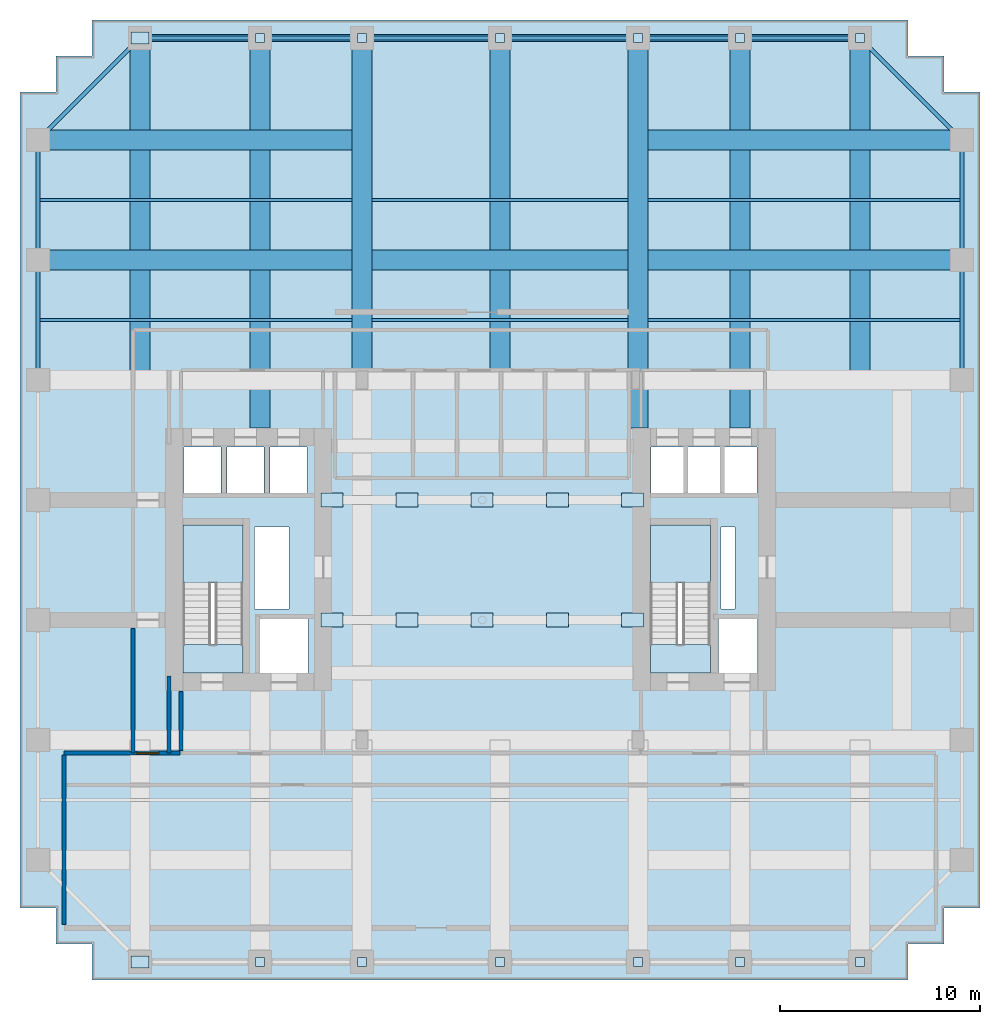
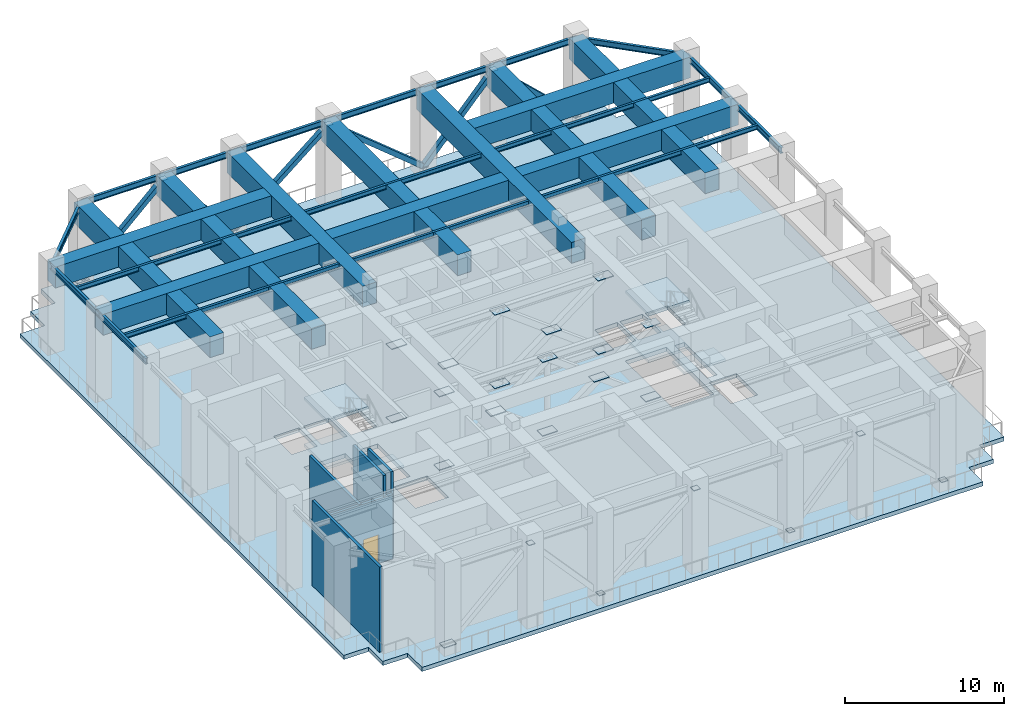
# One storey, part 3 of 10: 30 beams, 30 plates, 7 slabs, 6 members, 5 walls, 1 door, 1 opening, 2 elements without a shape of their own.
"""IFC4 building model written with IfcOpenShell, lengths in metres."""

from ifc_helpers import new_model, si_unit, direction, frame, frame_2d, origin, origin_2d, place, context, subcontext, project, spatial, polyline, rectangle, hollow_rectangle, i_section, outline, extrude, source, transform, mapped, material, layer, layer_set, material_profile, profile_set, type_object, element, fill, aggregate, save


model = new_model("IFC4")

# Units and contexts
model_context = context("Model", 3, precision=1e-05, world=origin(), true_north=direction((0.0, 1.0)))
body_context = subcontext(model_context, "Body", "Model", "MODEL_VIEW")
ifc_project = project(units=[si_unit("LENGTHUNIT", "METRE"), si_unit("AREAUNIT", "SQUARE_METRE"), si_unit("VOLUMEUNIT", "CUBIC_METRE"), si_unit("PLANEANGLEUNIT", "RADIAN"), si_unit("MASSUNIT", "GRAM", prefix="KILO")], contexts=[model_context])

# Site, building, storey
site_placement = place(None, origin())
site = spatial("IfcSite", under=ifc_project, at=site_placement, CompositionType="ELEMENT")
building_placement = place(site_placement, origin())
building = spatial("IfcBuilding", under=site, at=building_placement, Name="Khoralis Quay Care Tower", CompositionType="ELEMENT")
storey_placement = place(building_placement, frame((0.0, 0.0, 76.5)))
storey = spatial("IfcBuildingStorey", under=building, at=storey_placement, Name="L20", CompositionType="ELEMENT", Elevation=76.5)

# Beams
ifc_material_1 = material(Name="Steel S355", Category="steel")
ifc_material_profile_1 = material_profile(ifc_material_1, i_section(OverallWidth=0.18994140625, OverallDepth=0.449951171875, WebThickness=0.009521484375, FlangeThickness=0.0146484375, FilletRadius=0.02099609375, at=origin_2d()), Name="Steel S355")
ifc_profile_set_1 = profile_set([ifc_material_profile_1], Name="Steel S355")
beam_type_1 = type_object("IfcBeamType", Name="BM-IPE450", PredefinedType="SPANDREL", material=ifc_profile_set_1)
shared_shape_1 = source(origin(), body_context, "Body", "SweptSolid", [
    extrude(i_section(OverallWidth=0.18994140625, OverallDepth=0.449951171875, WebThickness=0.009521484375, FlangeThickness=0.0146484375, FilletRadius=0.02099609375, at=origin_2d()), origin(), (0.0, 0.0, 1.0), 6.0),
])
for number, where, z_axis, x_axis, name in (
    (1, (6.0, 47.10009765625, 6.324951171875), (1.0, 0.0, 0.0), (0.0, 1.0, 0.0), "BM-TSP-L20-07"),
    (2, (36.0, 47.10009765625, 6.324951171875), (1.0, 0.0, 0.0), (0.0, 1.0, 0.0), "BM-TSP-L20-12"),
    (3, (0.89990234375, 30.0, 6.324951171875), (0.0, 1.0, 0.0), (-1.0, 0.0, 0.0), "BM-TSP-L20-17"),
    (4, (0.89990234375, 36.0, 6.324951171875), (0.0, 1.0, 0.0), (-1.0, 0.0, 0.0), "BM-TSP-L20-18"),
    (5, (47.10009765625, 30.0, 6.324951171875), (0.0, 1.0, 0.0), (-1.0, 0.0, 0.0), "BM-TSP-L20-23"),
    (6, (47.10009765625, 36.0, 6.324951171875), (0.0, 1.0, 0.0), (-1.0, 0.0, 0.0), "BM-TSP-L20-24"),
):
    element("IfcBeam", number, at=place(storey_placement, frame(where, z_axis=z_axis, x_axis=x_axis)), inside=storey, type_object=beam_type_1, Name=name, PredefinedType="SPANDREL", context=body_context, shape_type="MappedRepresentation", body=[
        mapped(shared_shape_1, transform((0.0, 0.0, 0.0), scale=1.0)),
    ])
shared_shape_2 = source(origin(), body_context, "Body", "SweptSolid", [
    extrude(i_section(OverallWidth=0.18994140625, OverallDepth=0.449951171875, WebThickness=0.009521484375, FlangeThickness=0.0146484375, FilletRadius=0.02099609375, at=origin_2d()), origin(), (0.0, 0.0, 1.0), 5.10009765625),
])
for number, where, z_axis, x_axis, name in (
    (7, (12.0, 47.10009765625, 6.324951171875), (1.0, 0.0, 0.0), (0.0, 1.0, 0.0), "BM-TSP-L20-08"),
    (8, (30.89990234375, 47.10009765625, 6.324951171875), (1.0, 0.0, 0.0), (0.0, 1.0, 0.0), "BM-TSP-L20-11"),
):
    element("IfcBeam", number, at=place(storey_placement, frame(where, z_axis=z_axis, x_axis=x_axis)), inside=storey, type_object=beam_type_1, Name=name, PredefinedType="SPANDREL", context=body_context, shape_type="MappedRepresentation", body=[
        mapped(shared_shape_2, transform((0.0, 0.0, 0.0), scale=1.0)),
    ])
shared_shape_3 = source(origin(), body_context, "Body", "SweptSolid", [
    extrude(i_section(OverallWidth=0.18994140625, OverallDepth=0.449951171875, WebThickness=0.009521484375, FlangeThickness=0.0146484375, FilletRadius=0.02099609375, at=origin_2d()), origin(), (0.0, 0.0, 1.0), 6.89990234375),
])
for number, where, z_axis, x_axis, name in (
    (9, (17.10009765625, 47.10009765625, 6.324951171875), (1.0, 0.0, 0.0), (0.0, 1.0, 0.0), "BM-TSP-L20-09"),
    (10, (24.0, 47.10009765625, 6.324951171875), (1.0, 0.0, 0.0), (0.0, 1.0, 0.0), "BM-TSP-L20-10"),
):
    element("IfcBeam", number, at=place(storey_placement, frame(where, z_axis=z_axis, x_axis=x_axis)), inside=storey, type_object=beam_type_1, Name=name, PredefinedType="SPANDREL", context=body_context, shape_type="MappedRepresentation", body=[
        mapped(shared_shape_3, transform((0.0, 0.0, 0.0), scale=1.0)),
    ])
shared_shape_4 = source(origin(), body_context, "Body", "SweptSolid", [
    extrude(i_section(OverallWidth=0.18994140625, OverallDepth=0.449951171875, WebThickness=0.009521484375, FlangeThickness=0.0146484375, FilletRadius=0.02099609375, at=origin_2d()), origin(), (0.0, 0.0, 1.0), 7.212646484375),
])
for number, where, z_axis, x_axis, name in (
    (11, (6.0, 47.10009765625, 6.324951171875), (-0.707106781187, -0.707106781187, 0.0), (0.707106781187, -0.707106781187, 0.0), "BM-TCR-L20-27"),
    (12, (42.0, 47.10009765625, 6.324951171875), (0.707106781187, -0.707106781187, 0.0), (0.707106781187, 0.707106781187, 0.0), "BM-TCR-L20-28"),
):
    element("IfcBeam", number, at=place(storey_placement, frame(where, z_axis=z_axis, x_axis=x_axis)), inside=storey, type_object=beam_type_1, Name=name, PredefinedType="SPANDREL", context=body_context, shape_type="MappedRepresentation", body=[
        mapped(shared_shape_4, transform((0.0, 0.0, 0.0), scale=1.0)),
    ])
ifc_material_2 = material(Name="Concrete C80/95", Category="concrete")
ifc_material_profile_2 = material_profile(ifc_material_2, rectangle(XDim=1.0, YDim=1.60009765625, at=origin_2d()), Name="Concrete C80/95")
ifc_profile_set_2 = profile_set([ifc_material_profile_2], Name="Concrete C80/95")
beam_type_2 = type_object("IfcBeamType", Name="TG-RC1000X1600", PredefinedType="BEAM", material=ifc_profile_set_2)
shared_shape_5 = source(origin(), body_context, "Body", "SweptSolid", [
    extrude(rectangle(XDim=1.0, YDim=1.60009765625, at=origin_2d()), origin(), (0.0, 0.0, 1.0), 15.712158203125),
])
for number, where, z_axis, x_axis, name in (
    (13, (0.89990234375, 36.0, 5.75), (1.0, 0.0, 0.0), (0.0, 1.0, 0.0), "L20 Transfer girder BM-TGXW-L20-360"),
    (14, (0.89990234375, 42.0, 5.75), (1.0, 0.0, 0.0), (0.0, 1.0, 0.0), "L20 Transfer girder BM-TGXW-L20-420"),
    (15, (31.387939453125, 36.0, 5.75), (1.0, 0.0, 0.0), (0.0, 1.0, 0.0), "L20 Transfer girder BM-TGXE-L20-360"),
    (16, (31.387939453125, 42.0, 5.75), (1.0, 0.0, 0.0), (0.0, 1.0, 0.0), "L20 Transfer girder BM-TGXE-L20-420"),
):
    element("IfcBeam", number, at=place(storey_placement, frame(where, z_axis=z_axis, x_axis=x_axis)), inside=storey, type_object=beam_type_2, Name=name, PredefinedType="BEAM", context=body_context, shape_type="MappedRepresentation", body=[
        mapped(shared_shape_5, transform((0.0, 0.0, 0.0), scale=1.0)),
    ])
shared_shape_6 = source(origin(), body_context, "Body", "SweptSolid", [
    extrude(rectangle(XDim=1.0, YDim=1.60009765625, at=origin_2d()), origin(), (0.0, 0.0, 1.0), 12.82421875),
])
beam_placement = place(storey_placement, frame((17.587890625, 36.0, 5.75), z_axis=(1.0, 0.0, 0.0), x_axis=(0.0, 1.0, 0.0)))
element("IfcBeam", 17, at=beam_placement, inside=storey, type_object=beam_type_2, Name="L20 Transfer girder BM-TGCC-L20-360", PredefinedType="BEAM", context=body_context, shape_type="MappedRepresentation", body=[
    mapped(shared_shape_6, transform((0.0, 0.0, 0.0), scale=1.0)),
])
shared_shape_7 = source(origin(), body_context, "Body", "SweptSolid", [
    extrude(rectangle(XDim=1.0, YDim=1.60009765625, at=origin_2d()), origin(), (0.0, 0.0, 1.0), 17.10009765625),
])
for number, where, z_axis, x_axis, name in (
    (18, (6.0, 30.0, 5.75), (0.0, 1.0, 0.0), (-1.0, 0.0, 0.0), "L20 Transfer girder BM-TGYN-L20-60"),
    (19, (17.10009765625, 30.0, 5.75), (0.0, 1.0, 0.0), (-1.0, 0.0, 0.0), "L20 Transfer girder BM-TGYN-L20-171"),
    (20, (24.0, 30.0, 5.75), (0.0, 1.0, 0.0), (-1.0, 0.0, 0.0), "L20 Transfer girder BM-TGYN-L20-240"),
    (21, (42.0, 30.0, 5.75), (0.0, 1.0, 0.0), (-1.0, 0.0, 0.0), "L20 Transfer girder BM-TGYN-L20-420"),
):
    element("IfcBeam", number, at=place(storey_placement, frame(where, z_axis=z_axis, x_axis=x_axis)), inside=storey, type_object=beam_type_2, Name=name, PredefinedType="BEAM", context=body_context, shape_type="MappedRepresentation", body=[
        mapped(shared_shape_7, transform((0.0, 0.0, 0.0), scale=1.0)),
    ])
shared_shape_8 = source(origin(), body_context, "Body", "SweptSolid", [
    extrude(rectangle(XDim=1.0, YDim=1.60009765625, at=origin_2d()), origin(), (0.0, 0.0, 1.0), 19.502197265625),
])
for number, where, z_axis, x_axis, name in (
    (22, (12.0, 27.597900390625, 5.75), (0.0, 1.0, 0.0), (-1.0, 0.0, 0.0), "L20 Transfer girder BM-TGYN-L20-120"),
    (23, (30.89990234375, 27.597900390625, 5.75), (0.0, 1.0, 0.0), (-1.0, 0.0, 0.0), "L20 Transfer girder BM-TGYN-L20-309"),
    (24, (36.0, 27.597900390625, 5.75), (0.0, 1.0, 0.0), (-1.0, 0.0, 0.0), "L20 Transfer girder BM-TGYN-L20-360"),
):
    element("IfcBeam", number, at=place(storey_placement, frame(where, z_axis=z_axis, x_axis=x_axis)), inside=storey, type_object=beam_type_2, Name=name, PredefinedType="BEAM", context=body_context, shape_type="MappedRepresentation", body=[
        mapped(shared_shape_8, transform((0.0, 0.0, 0.0), scale=1.0)),
    ])
ifc_material_profile_3 = material_profile(ifc_material_1, i_section(OverallWidth=0.1708984375, OverallDepth=0.35498046875, WebThickness=0.007080078125, FlangeThickness=0.01171875, FilletRadius=0.012939453125, at=origin_2d()), Name="Steel S355")
ifc_profile_set_3 = profile_set([ifc_material_profile_3], Name="Steel S355")
beam_type_3 = type_object("IfcBeamType", Name="BM-W360X51", PredefinedType="JOIST", material=ifc_profile_set_3)
shared_shape_9 = source(origin(), body_context, "Body", "SweptSolid", [
    extrude(i_section(OverallWidth=0.1708984375, OverallDepth=0.35498046875, WebThickness=0.007080078125, FlangeThickness=0.01171875, FilletRadius=0.012939453125, at=origin_2d()), origin(), (0.0, 0.0, 1.0), 15.631103515625),
])
for number, where, z_axis, x_axis, name in (
    (25, (0.98095703125, 33.0, 6.37255859375), (1.0, 0.0, 0.0), (0.0, 1.0, 0.0), "BM-TJS-L20-32"),
    (26, (31.387939453125, 33.0, 6.37255859375), (1.0, 0.0, 0.0), (0.0, 1.0, 0.0), "BM-TJS-L20-33"),
    (27, (0.98095703125, 39.0, 6.37255859375), (1.0, 0.0, 0.0), (0.0, 1.0, 0.0), "BM-TJS-L20-35"),
    (28, (31.387939453125, 39.0, 6.37255859375), (1.0, 0.0, 0.0), (0.0, 1.0, 0.0), "BM-TJS-L20-36"),
):
    element("IfcBeam", number, at=place(storey_placement, frame(where, z_axis=z_axis, x_axis=x_axis)), inside=storey, type_object=beam_type_3, Name=name, PredefinedType="JOIST", context=body_context, shape_type="MappedRepresentation", body=[
        mapped(shared_shape_9, transform((0.0, 0.0, 0.0), scale=1.0)),
    ])
shared_shape_10 = source(origin(), body_context, "Body", "SweptSolid", [
    extrude(i_section(OverallWidth=0.1708984375, OverallDepth=0.35498046875, WebThickness=0.007080078125, FlangeThickness=0.01171875, FilletRadius=0.012939453125, at=origin_2d()), origin(), (0.0, 0.0, 1.0), 12.82421875),
])
for number, where, z_axis, x_axis, name in (
    (29, (17.587890625, 33.0, 6.37255859375), (1.0, 0.0, 0.0), (0.0, 1.0, 0.0), "BM-TJS-L20-34"),
    (30, (17.587890625, 39.0, 6.37255859375), (1.0, 0.0, 0.0), (0.0, 1.0, 0.0), "BM-TJS-L20-37"),
):
    element("IfcBeam", number, at=place(storey_placement, frame(where, z_axis=z_axis, x_axis=x_axis)), inside=storey, type_object=beam_type_3, Name=name, PredefinedType="JOIST", context=body_context, shape_type="MappedRepresentation", body=[
        mapped(shared_shape_10, transform((0.0, 0.0, 0.0), scale=1.0)),
    ])

# Members
ifc_material_profile_4 = material_profile(ifc_material_1, hollow_rectangle(XDim=0.35009765625, YDim=0.35009765625, WallThickness=0.01611328125, at=origin_2d()), Name="Steel S355")
ifc_profile_set_4 = profile_set([ifc_material_profile_4], Name="Steel S355")
member_type = type_object("IfcMemberType", Name="BR-RHS350X350X16", PredefinedType="BRACE", material=ifc_profile_set_4)
shared_shape_11 = source(origin(), body_context, "Body", "SweptSolid", [
    extrude(hollow_rectangle(XDim=0.35009765625, YDim=0.35009765625, WallThickness=0.01611328125, at=origin_2d()), origin(), (0.0, 0.0, 1.0), 8.24169921875),
])
for number, where, z_axis, x_axis, name in (
    (31, (6.0, 47.10009765625, 0.449951171875), (0.728012987869, 0.0, 0.685563337332), (0.0, 1.0, 0.0), "L20 Belt truss diagonal 7"),
    (32, (36.0, 47.10009765625, 6.10009765625), (0.728012987869, 0.0, -0.685563337332), (0.0, 1.0, 0.0), "L20 Belt truss diagonal 12"),
):
    element("IfcMember", number, at=place(storey_placement, frame(where, z_axis=z_axis, x_axis=x_axis)), inside=storey, type_object=member_type, Name=name, PredefinedType="BRACE", context=body_context, shape_type="MappedRepresentation", body=[
        mapped(shared_shape_11, transform((0.0, 0.0, 0.0), scale=1.0)),
    ])
shared_shape_12 = source(origin(), body_context, "Body", "SweptSolid", [
    extrude(hollow_rectangle(XDim=0.35009765625, YDim=0.35009765625, WallThickness=0.01611328125, at=origin_2d()), origin(), (0.0, 0.0, 1.0), 7.611572265625),
])
for number, where, z_axis, x_axis, name in (
    (33, (12.0, 47.10009765625, 6.10009765625), (0.670050319951, 0.0, -0.742315679973), (0.0, 1.0, 0.0), "L20 Belt truss diagonal 8"),
    (34, (30.89990234375, 47.10009765625, 0.449951171875), (0.670050319951, 0.0, 0.742315679973), (0.0, 1.0, 0.0), "L20 Belt truss diagonal 11"),
):
    element("IfcMember", number, at=place(storey_placement, frame(where, z_axis=z_axis, x_axis=x_axis)), inside=storey, type_object=member_type, Name=name, PredefinedType="BRACE", context=body_context, shape_type="MappedRepresentation", body=[
        mapped(shared_shape_12, transform((0.0, 0.0, 0.0), scale=1.0)),
    ])
shared_shape_13 = source(origin(), body_context, "Body", "SweptSolid", [
    extrude(hollow_rectangle(XDim=0.35009765625, YDim=0.35009765625, WallThickness=0.01611328125, at=origin_2d()), origin(), (0.0, 0.0, 1.0), 8.918212890625),
])
for number, where, z_axis, x_axis, name in (
    (35, (17.10009765625, 47.10009765625, 0.449951171875), (0.773694994311, 0.0, 0.633558249712), (0.0, 1.0, 0.0), "L20 Belt truss diagonal 9"),
    (36, (24.0, 47.10009765625, 6.10009765625), (0.773694994311, 0.0, -0.633558249712), (0.0, 1.0, 0.0), "L20 Belt truss diagonal 10"),
):
    element("IfcMember", number, at=place(storey_placement, frame(where, z_axis=z_axis, x_axis=x_axis)), inside=storey, type_object=member_type, Name=name, PredefinedType="BRACE", context=body_context, shape_type="MappedRepresentation", body=[
        mapped(shared_shape_13, transform((0.0, 0.0, 0.0), scale=1.0)),
    ])

# Slab
ifc_material_3 = material(Name="Concrete C50/60", Category="concrete")
ifc_layer_1 = layer(ifc_material_3, 0.320068359375)
ifc_layer_set_1 = layer_set([ifc_layer_1], Name="Concrete C50/60")
slab_type_1 = type_object("IfcSlabType", Name="SLB-EXT-WIND-320", PredefinedType="FLOOR", material=ifc_layer_set_1)
slab_1_placement = place(storey_placement, frame((0.0, 0.0, -0.320068359375)))
element("IfcSlab", 37, at=slab_1_placement, inside=storey, type_object=slab_type_1, Name="Tower Floor Slab L20", PredefinedType="FLOOR", context=body_context, shape_type="SweptSolid", body=[
    extrude(outline(polyline([(3.60009765625, 0.0), (44.39990234375, 0.0), (44.39990234375, 1.800048828125), (46.199951171875, 1.800048828125), (46.199951171875, 3.60009765625), (48.0, 3.60009765625), (48.0, 44.39990234375), (46.199951171875, 44.39990234375), (46.199951171875, 46.199951171875), (44.39990234375, 46.199951171875), (44.39990234375, 48.0), (3.60009765625, 48.0), (3.60009765625, 46.199951171875), (1.800048828125, 46.199951171875), (1.800048828125, 44.39990234375), (0.0, 44.39990234375), (0.0, 3.60009765625), (1.800048828125, 3.60009765625), (1.800048828125, 1.800048828125), (3.60009765625, 1.800048828125), (3.60009765625, 0.0)]), holes=[polyline([(11.14990234375, 16.800048828125), (11.14990234375, 22.75), (8.14990234375, 22.75), (8.14990234375, 16.800048828125), (11.14990234375, 16.800048828125)]), polyline([(34.52001953125, 16.800048828125), (34.52001953125, 22.75), (31.52001953125, 22.75), (31.52001953125, 16.800048828125), (34.52001953125, 16.800048828125)]), polyline([(12.0, 15.35009765625), (14.39990234375, 15.35009765625), (14.39990234375, 18.050048828125), (12.0, 18.050048828125), (12.0, 15.35009765625)]), polyline([(34.919921875, 15.35009765625), (36.8798828125, 15.35009765625), (36.8798828125, 18.050048828125), (34.919921875, 18.050048828125), (34.919921875, 15.35009765625)]), polyline([(8.199951171875, 24.35009765625), (10.050048828125, 24.35009765625), (10.050048828125, 26.64990234375), (8.199951171875, 26.64990234375), (8.199951171875, 24.35009765625)]), polyline([(31.550048828125, 24.35009765625), (33.199951171875, 24.35009765625), (33.199951171875, 26.64990234375), (31.550048828125, 26.64990234375), (31.550048828125, 24.35009765625)]), polyline([(10.35009765625, 24.35009765625), (12.199951171875, 24.35009765625), (12.199951171875, 26.64990234375), (10.35009765625, 26.64990234375), (10.35009765625, 24.35009765625)]), polyline([(33.3798828125, 24.35009765625), (35.030029296875, 24.35009765625), (35.030029296875, 26.64990234375), (33.3798828125, 26.64990234375), (33.3798828125, 24.35009765625)]), polyline([(12.5, 24.35009765625), (14.35009765625, 24.35009765625), (14.35009765625, 26.64990234375), (12.5, 26.64990234375), (12.5, 24.35009765625)]), polyline([(35.199951171875, 24.35009765625), (36.85009765625, 24.35009765625), (36.85009765625, 26.64990234375), (35.199951171875, 26.64990234375), (35.199951171875, 24.35009765625)]), polyline([(11.719970703125, 18.550048828125), (13.449951171875, 18.550048828125), (13.449951171875, 22.64990234375), (11.719970703125, 22.64990234375), (11.719970703125, 18.550048828125)]), polyline([(35.050048828125, 18.550048828125), (35.75, 18.550048828125), (35.75, 22.64990234375), (35.050048828125, 22.64990234375), (35.050048828125, 18.550048828125)])]), origin(), (0.0, 0.0, 1.0), 0.320068359375),
])

# Stair, slabs
ifc_material_4 = material(Name="Precast concrete C45/55", Category="concrete")
stair_type = type_object("IfcStairType", Name="ST-TWR-DOGLEG-1400", PredefinedType="HALF_TURN_STAIR", material=ifc_material_4)
stair_1_placement = place(storey_placement, origin())
stair_1 = element("IfcStair", 38, at=stair_1_placement, inside=storey, type_object=stair_type, Name="L20 West Core Exit Stair ST-T1", PredefinedType="HALF_TURN_STAIR")
ifc_layer_2 = layer(ifc_material_4, 0.199951171875)
ifc_layer_set_2 = layer_set([ifc_layer_2], Name="Precast concrete C45/55")
slab_type_2 = type_object("IfcSlabType", Name="SLB-LANDING-200", PredefinedType="LANDING", material=ifc_layer_set_2)
slab_2_placement = place(storey_placement, frame((0.0, 0.0, 1.60009765625)))
slab_2 = element("IfcSlab", 39, at=slab_2_placement, type_object=slab_type_2, Name="ST-T1 landing 1", PredefinedType="LANDING", context=body_context, shape_type="SweptSolid", body=[
    extrude(outline(polyline([(11.14990234375, 19.840087890625), (11.14990234375, 22.75), (8.14990234375, 22.75), (8.14990234375, 19.840087890625), (11.14990234375, 19.840087890625)])), origin(), (0.0, 0.0, 1.0), 0.199951171875),
])
slab_3_placement = place(storey_placement, frame((0.0, 0.0, 3.39990234375)))
slab_3 = element("IfcSlab", 40, at=slab_3_placement, type_object=slab_type_2, Name="ST-T1 landing 2", PredefinedType="LANDING", context=body_context, shape_type="SweptSolid", body=[
    extrude(outline(polyline([(11.14990234375, 15.35009765625), (11.14990234375, 16.800048828125), (8.14990234375, 16.800048828125), (8.14990234375, 15.35009765625), (11.14990234375, 15.35009765625)])), origin(), (0.0, 0.0, 1.0), 0.2001953125),
])
slab_4_placement = place(storey_placement, frame((0.0, 0.0, 5.199951171875)))
slab_4 = element("IfcSlab", 41, at=slab_4_placement, type_object=slab_type_2, Name="ST-T1 landing 3", PredefinedType="LANDING", context=body_context, shape_type="SweptSolid", body=[
    extrude(outline(polyline([(11.14990234375, 19.840087890625), (11.14990234375, 22.75), (8.14990234375, 22.75), (8.14990234375, 19.840087890625), (11.14990234375, 19.840087890625)])), origin(), (0.0, 0.0, 1.0), 0.199951171875),
])
aggregate(stair_1, [slab_2, slab_3, slab_4])

stair_2_placement = place(storey_placement, origin())
stair_2 = element("IfcStair", 42, at=stair_2_placement, inside=storey, type_object=stair_type, Name="L20 East Core Exit Stair ST-T2", PredefinedType="HALF_TURN_STAIR")
slab_5_placement = place(storey_placement, frame((0.0, 0.0, 1.60009765625)))
slab_5 = element("IfcSlab", 43, at=slab_5_placement, type_object=slab_type_2, Name="ST-T2 landing 1", PredefinedType="LANDING", context=body_context, shape_type="SweptSolid", body=[
    extrude(outline(polyline([(34.52001953125, 19.840087890625), (34.52001953125, 22.75), (31.52001953125, 22.75), (31.52001953125, 19.840087890625), (34.52001953125, 19.840087890625)])), origin(), (0.0, 0.0, 1.0), 0.199951171875),
])
slab_6_placement = place(storey_placement, frame((0.0, 0.0, 3.39990234375)))
slab_6 = element("IfcSlab", 44, at=slab_6_placement, type_object=slab_type_2, Name="ST-T2 landing 2", PredefinedType="LANDING", context=body_context, shape_type="SweptSolid", body=[
    extrude(outline(polyline([(34.52001953125, 15.35009765625), (34.52001953125, 16.800048828125), (31.52001953125, 16.800048828125), (31.52001953125, 15.35009765625), (34.52001953125, 15.35009765625)])), origin(), (0.0, 0.0, 1.0), 0.2001953125),
])
slab_7_placement = place(storey_placement, frame((0.0, 0.0, 5.199951171875)))
slab_7 = element("IfcSlab", 45, at=slab_7_placement, type_object=slab_type_2, Name="ST-T2 landing 3", PredefinedType="LANDING", context=body_context, shape_type="SweptSolid", body=[
    extrude(outline(polyline([(34.52001953125, 19.840087890625), (34.52001953125, 22.75), (31.52001953125, 22.75), (31.52001953125, 19.840087890625), (34.52001953125, 19.840087890625)])), origin(), (0.0, 0.0, 1.0), 0.199951171875),
])
aggregate(stair_2, [slab_5, slab_6, slab_7])

# Plates
ifc_layer_3 = layer(ifc_material_1, 0.02490234375)
ifc_layer_set_3 = layer_set([ifc_layer_3], Name="Steel S355")
plate_type_1 = type_object("IfcPlateType", Name="PLT-CAP-450", PredefinedType="USERDEFINED", material=ifc_layer_set_3)
shared_shape_14 = source(origin(), body_context, "Body", "SweptSolid", [
    extrude(rectangle(XDim=0.449951171875, YDim=0.449951171875, at=origin_2d()), origin(), (0.0, 0.0, 1.0), 0.02490234375),
])
for number, where, z_axis, x_axis, name in (
    (46, (12.0, 0.89990234375, 6.087646484375), (0.0, 0.0, 1.0), (1.0, 0.0, 0.0), "PLT-L20-CP-01"),
    (47, (17.10009765625, 0.89990234375, 0.4375), (0.0, 0.0, 1.0), (1.0, 0.0, 0.0), "PLT-L20-CP-02"),
    (48, (24.0, 0.89990234375, 6.087646484375), (0.0, 0.0, 1.0), (1.0, 0.0, 0.0), "PLT-L20-CP-03"),
    (49, (30.89990234375, 0.89990234375, 0.4375), (0.0, 0.0, 1.0), (1.0, 0.0, 0.0), "PLT-L20-CP-04"),
    (50, (36.0, 0.89990234375, 6.087646484375), (0.0, 0.0, 1.0), (1.0, 0.0, 0.0), "PLT-L20-CP-05"),
    (51, (42.0, 0.89990234375, 0.4375), (0.0, 0.0, 1.0), (1.0, 0.0, 0.0), "PLT-L20-CP-06"),
    (52, (12.0, 47.10009765625, 6.087646484375), (0.0, 0.0, 1.0), (1.0, 0.0, 0.0), "PLT-L20-CP-07"),
    (53, (17.10009765625, 47.10009765625, 0.4375), (0.0, 0.0, 1.0), (1.0, 0.0, 0.0), "PLT-L20-CP-08"),
    (54, (24.0, 47.10009765625, 6.087646484375), (0.0, 0.0, 1.0), (1.0, 0.0, 0.0), "PLT-L20-CP-09"),
    (55, (30.89990234375, 47.10009765625, 0.4375), (0.0, 0.0, 1.0), (1.0, 0.0, 0.0), "PLT-L20-CP-10"),
    (56, (36.0, 47.10009765625, 6.087646484375), (0.0, 0.0, 1.0), (1.0, 0.0, 0.0), "PLT-L20-CP-11"),
    (57, (42.0, 47.10009765625, 0.4375), (0.0, 0.0, 1.0), (1.0, 0.0, 0.0), "PLT-L20-CP-12"),
):
    element("IfcPlate", number, at=place(storey_placement, frame(where, z_axis=z_axis, x_axis=x_axis)), inside=storey, type_object=plate_type_1, Name=name, ObjectType="BASE_PLATE", PredefinedType="USERDEFINED", context=body_context, shape_type="MappedRepresentation", body=[
        mapped(shared_shape_14, transform((0.0, 0.0, 0.0), scale=1.0)),
    ])
ifc_material_5 = material(Name="Steel S460", Category="steel")
ifc_layer_4 = layer(ifc_material_5, 0.034912109375)
ifc_layer_set_4 = layer_set([ifc_layer_4], Name="Steel S460")
plate_type_2 = type_object("IfcPlateType", Name="PLT-NODE-ON1", PredefinedType="USERDEFINED", material=ifc_layer_set_4)
shared_shape_15 = source(origin(), body_context, "Body", "SweptSolid", [
    extrude(rectangle(XDim=1.10009765625, YDim=0.699951171875, at=origin_2d()), origin(), (0.0, 0.0, 1.0), 0.034912109375),
])
for number, where, z_axis, x_axis, name in (
    (58, (15.60009765625, 18.0, 0.4326171875), (0.0, 0.0, 1.0), (1.0, 0.0, 0.0), "PLT-L20-CHND-18-156-769"),
    (59, (30.6201171875, 18.0, 0.4326171875), (0.0, 0.0, 1.0), (1.0, 0.0, 0.0), "PLT-L20-CHND-18-306-769"),
    (60, (15.60009765625, 18.0, 6.08251953125), (0.0, 0.0, 1.0), (1.0, 0.0, 0.0), "PLT-L20-CHND-18-156-826"),
    (61, (30.6201171875, 18.0, 6.08251953125), (0.0, 0.0, 1.0), (1.0, 0.0, 0.0), "PLT-L20-CHND-18-306-826"),
    (62, (23.110107421875, 18.0, 0.4326171875), (0.0, 0.0, 1.0), (1.0, 0.0, 0.0), "PLT-L20-CHND-18-231-769"),
    (63, (23.110107421875, 18.0, 6.08251953125), (0.0, 0.0, 1.0), (1.0, 0.0, 0.0), "PLT-L20-CHND-18-231-826"),
    (64, (19.35498046875, 18.0, 3.25732421875), (0.0, 0.0, 1.0), (1.0, 0.0, 0.0), "L20 Outrigger X-Brace Central Gusset 18.1"),
    (65, (26.864990234375, 18.0, 3.25732421875), (0.0, 0.0, 1.0), (1.0, 0.0, 0.0), "L20 Outrigger X-Brace Central Gusset 18.2"),
    (66, (15.60009765625, 24.0, 0.4326171875), (0.0, 0.0, 1.0), (1.0, 0.0, 0.0), "PLT-L20-CHND-24-156-769"),
    (67, (30.6201171875, 24.0, 0.4326171875), (0.0, 0.0, 1.0), (1.0, 0.0, 0.0), "PLT-L20-CHND-24-306-769"),
    (68, (15.60009765625, 24.0, 6.08251953125), (0.0, 0.0, 1.0), (1.0, 0.0, 0.0), "PLT-L20-CHND-24-156-826"),
    (69, (30.6201171875, 24.0, 6.08251953125), (0.0, 0.0, 1.0), (1.0, 0.0, 0.0), "PLT-L20-CHND-24-306-826"),
    (70, (23.110107421875, 24.0, 0.4326171875), (0.0, 0.0, 1.0), (1.0, 0.0, 0.0), "PLT-L20-CHND-24-231-769"),
    (71, (23.110107421875, 24.0, 6.08251953125), (0.0, 0.0, 1.0), (1.0, 0.0, 0.0), "PLT-L20-CHND-24-231-826"),
    (72, (19.35498046875, 24.0, 3.25732421875), (0.0, 0.0, 1.0), (1.0, 0.0, 0.0), "L20 Outrigger X-Brace Central Gusset 24.1"),
    (73, (26.864990234375, 24.0, 3.25732421875), (0.0, 0.0, 1.0), (1.0, 0.0, 0.0), "L20 Outrigger X-Brace Central Gusset 24.2"),
):
    element("IfcPlate", number, at=place(storey_placement, frame(where, z_axis=z_axis, x_axis=x_axis)), inside=storey, type_object=plate_type_2, Name=name, ObjectType="GUSSET_PLATE", PredefinedType="USERDEFINED", context=body_context, shape_type="MappedRepresentation", body=[
        mapped(shared_shape_15, transform((0.0, 0.0, 0.0), scale=1.0)),
    ])
ifc_layer_5 = layer(ifc_material_1, 0.030029296875)
ifc_layer_set_5 = layer_set([ifc_layer_5], Name="Steel S355")
plate_type_3 = type_object("IfcPlateType", Name="PLT-NODE-BN1", PredefinedType="USERDEFINED", material=ifc_layer_set_5)
shared_shape_16 = source(origin(), body_context, "Body", "SweptSolid", [
    extrude(rectangle(XDim=0.89990234375, YDim=0.60009765625, at=origin_2d()), origin(), (0.0, 0.0, 1.0), 0.030029296875),
])
for number, where, z_axis, x_axis, name in (
    (74, (6.0, 0.89990234375, 0.43505859375), (0.0, 0.0, 1.0), (1.0, 0.0, 0.0), "PLT-L20-BN-01"),
    (75, (6.0, 47.10009765625, 0.43505859375), (0.0, 0.0, 1.0), (1.0, 0.0, 0.0), "PLT-L20-BN-07"),
):
    element("IfcPlate", number, at=place(storey_placement, frame(where, z_axis=z_axis, x_axis=x_axis)), inside=storey, type_object=plate_type_3, Name=name, ObjectType="GUSSET_PLATE", PredefinedType="USERDEFINED", context=body_context, shape_type="MappedRepresentation", body=[
        mapped(shared_shape_16, transform((0.0, 0.0, 0.0), scale=1.0)),
    ])

# Walls
ifc_material_6 = material(Name="Gypsum plasterboard on acoustic metal stud")
ifc_layer_6 = layer(ifc_material_6, 0.199951171875)
ifc_layer_set_6 = layer_set([ifc_layer_6], Name="Gypsum plasterboard on acoustic metal stud")
wall_type = type_object("IfcWallType", Name="WL-COMP-200", PredefinedType="PARTITIONING", material=ifc_layer_set_6)
wall_1_placement = place(storey_placement, frame((8.050048828125, 11.469970703125, 0.0), z_axis=(0.0, 0.0, 1.0), x_axis=(0.0, 1.0, 0.0)))
element("IfcWall", 76, at=wall_1_placement, inside=storey, type_object=wall_type, Name="L20 West Firefighting Lobby West Wall", PredefinedType="PARTITIONING", context=body_context, shape_type="SweptSolid", body=[
    extrude(rectangle(XDim=2.9599609375, YDim=0.199951171875, at=frame_2d((1.47998046875, 0.0))), origin(), (0.0, 0.0, 1.0), 6.550048828125),
])
wall_2_placement = place(storey_placement, frame((2.199951171875, 2.77001953125, 0.0), z_axis=(0.0, 0.0, 1.0), x_axis=(0.0, 1.0, 0.0)))
element("IfcWall", 77, at=wall_2_placement, inside=storey, type_object=wall_type, Name="L20 Refuge West Compartment Wall", PredefinedType="PARTITIONING", context=body_context, shape_type="SweptSolid", body=[
    extrude(rectangle(XDim=8.47998046875, YDim=0.199951171875, at=frame_2d((4.239990234375, 0.0))), origin(), (0.0, 0.0, 1.0), 6.550048828125),
])

# Wall, opening, door
wall_3_placement = place(storey_placement, frame((2.199951171875, 11.35009765625, 0.0), z_axis=(0.0, 0.0, 1.0), x_axis=(1.0, 0.0, 0.0)))
wall_3 = element("IfcWall", 78, at=wall_3_placement, inside=storey, type_object=wall_type, Name="L20 Refuge Corridor North-West Cap", PredefinedType="PARTITIONING", context=body_context, shape_type="SweptSolid", body=[
    extrude(rectangle(XDim=5.800048828125, YDim=0.199951171875, at=frame_2d((2.89990234375, 0.0))), origin(), (0.0, 0.0, 1.0), 4.949951171875),
])
opening_placement = place(wall_3_placement, frame((3.64990234375, 0.0, 0.0)))
opening = element("IfcOpeningElement", 79, at=opening_placement, cuts=wall_3, Name="Opening SD1", PredefinedType="OPENING", context=body_context, shape_type="SweptSolid", body=[
    extrude(rectangle(XDim=1.10009765625, YDim=2.199951171875, at=frame_2d((0.550048828125, 1.10009765625))), frame((0.0, 0.10986328125, 0.0), z_axis=(0.0, -1.0, 0.0), x_axis=(1.0, 0.0, 0.0)), (0.0, 0.0, 1.0), 0.219970703125),
])
ifc_material_7 = material(Name="Fire-rated painted steel", Category="steel")
door_type = type_object("IfcDoorType", Name="DR-STAIR-1100X2200", OperationType="NOTDEFINED", PredefinedType="DOOR", material=ifc_material_7)
shared_shape_17 = source(origin(), body_context, "Body", "SweptSolid", [
    extrude(rectangle(XDim=1.10009765625, YDim=2.199951171875, at=frame_2d((0.550048828125, 1.10009765625))), frame((0.0, 0.02490234375, 0.0), z_axis=(0.0, -1.0, 0.0), x_axis=(1.0, 0.0, 0.0)), (0.0, 0.0, 1.0), 0.050048828125),
])
door_placement = place(opening_placement, origin())
door = element("IfcDoor", 80, at=door_placement, inside=storey, type_object=door_type, Name="L20 Refuge Link Transfer Door", OperationType="SINGLE_SWING_LEFT", OverallHeight=2.199951171875, OverallWidth=1.10009765625, PredefinedType="DOOR", context=body_context, shape_type="MappedRepresentation", body=[
    mapped(shared_shape_17, transform((0.0, 0.0, 0.0), scale=1.0)),
])
fill(opening, door)

# Walls
wall_4_placement = place(storey_placement, frame((5.64990234375, 11.35009765625, 0.0), z_axis=(0.0, 0.0, 1.0), x_axis=(0.0, 1.0, 0.0)))
element("IfcWall", 81, at=wall_4_placement, inside=storey, type_object=wall_type, Name="L20 West Refuge Link Wall 1", PredefinedType="PARTITIONING", context=body_context, shape_type="SweptSolid", body=[
    extrude(rectangle(XDim=6.22998046875, YDim=0.199951171875, at=frame_2d((3.114990234375, 0.0))), origin(), (0.0, 0.0, 1.0), 4.949951171875),
])
wall_5_placement = place(storey_placement, frame((7.449951171875, 11.35009765625, 0.0), z_axis=(0.0, 0.0, 1.0), x_axis=(0.0, 1.0, 0.0)))
element("IfcWall", 82, at=wall_5_placement, inside=storey, type_object=wall_type, Name="L20 West Refuge Link Inner Wall 1", PredefinedType="PARTITIONING", context=body_context, shape_type="SweptSolid", body=[
    extrude(rectangle(XDim=3.849853515625, YDim=0.199951171875, at=frame_2d((1.9248046875, 0.0))), origin(), (0.0, 0.0, 1.0), 6.550048828125),
])

save(model, "model.ifc")
